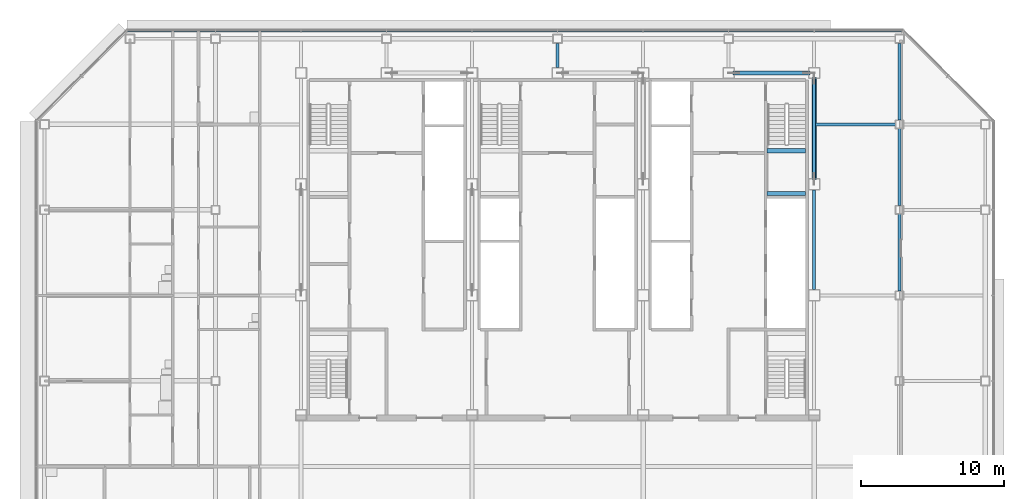
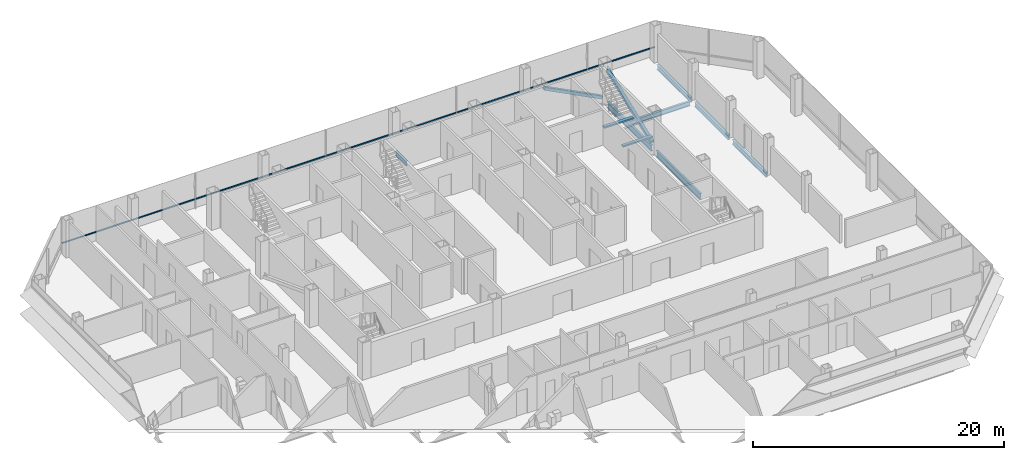
# One storey, part 14 of 27: 9 beams, 3 members, 1 element without a shape of its own.
"""IFC4 building model written with IfcOpenShell, lengths in metres."""

from ifc_helpers import new_model, si_unit, direction, frame, origin, origin_2d, place, context, subcontext, project, spatial, rectangle, hollow_rectangle, i_section, extrude, material, material_profile, profile_set, type_object, element, aggregate, save


model = new_model("IFC4")

# Units and contexts
model_context = context("Model", 3, precision=1e-05, world=origin(), true_north=direction((0.0, 1.0)))
body_context = subcontext(model_context, "Body", "Model", "MODEL_VIEW")
ifc_project = project(units=[si_unit("LENGTHUNIT", "METRE"), si_unit("AREAUNIT", "SQUARE_METRE"), si_unit("VOLUMEUNIT", "CUBIC_METRE"), si_unit("PLANEANGLEUNIT", "RADIAN"), si_unit("MASSUNIT", "GRAM", prefix="KILO")], contexts=[model_context])

# Site, building, storey
site_placement = place(None, origin())
site = spatial("IfcSite", under=ifc_project, at=site_placement, CompositionType="ELEMENT")
building_placement = place(site_placement, origin())
building = spatial("IfcBuilding", under=site, at=building_placement, Name="Sorahane Residences", CompositionType="ELEMENT")
storey_placement = place(building_placement, frame((0.0, 0.0, 202.800048828125)))
storey = spatial("IfcBuildingStorey", under=building, at=storey_placement, Name="L47", CompositionType="ELEMENT", Elevation=202.800048828125)

# Members
ifc_material_1 = material(Name="Steel Q355B", Category="steel")
ifc_material_profile_1 = material_profile(ifc_material_1, hollow_rectangle(XDim=0.300048828125, YDim=0.300048828125, WallThickness=0.01611328125, InnerFilletRadius=0.008056640625, OuterFilletRadius=0.02392578125, at=origin_2d()), Name="RHS 300x300x16")
ifc_profile_set_1 = profile_set([ifc_material_profile_1], Name="Steel Q355B")
member_type_1 = type_object("IfcMemberType", Name="Core brace RHS 300x300x16 Q355B", PredefinedType="BRACE", material=ifc_profile_set_1)
member_1_placement = place(storey_placement, frame((41.64111328125, 45.60009765625, 0.12890625), z_axis=(-0.889590046837, 0.0, 0.45675983686), x_axis=(0.0, -1.0, 0.0)))
element("IfcMember", 1, at=member_1_placement, inside=storey, type_object=member_type_1, Name="Core brace L47 y45.6-6", PredefinedType="BRACE", context=body_context, shape_type="SweptSolid", body=[
    extrude(hollow_rectangle(XDim=0.300048828125, YDim=0.300048828125, WallThickness=0.01611328125, InnerFilletRadius=0.008056640625, OuterFilletRadius=0.02392578125, at=origin_2d()), origin(), (0.0, 0.0, 1.0), 5.937744140625),
])
member_2_placement = place(storey_placement, frame((42.0, 38.16796875, 0.1376953125), z_axis=(0.0, 0.934335722983, 0.356394103147), x_axis=(-1.0, 0.0, 0.0)))
element("IfcMember", 2, at=member_2_placement, inside=storey, type_object=member_type_1, Name="Core brace L47 x42-3", PredefinedType="BRACE", context=body_context, shape_type="SweptSolid", body=[
    extrude(hollow_rectangle(XDim=0.300048828125, YDim=0.300048828125, WallThickness=0.01611328125, InnerFilletRadius=0.008056640625, OuterFilletRadius=0.02392578125, at=origin_2d()), origin(), (0.0, 0.0, 1.0), 7.560791015625),
])

# Curtain wall, member
ifc_material_2 = material(Name="Dark low-e glass and black anodised aluminium", Category="aluminium")
curtain_wall_type = type_object("IfcCurtainWallType", Name="Curtain wall CW-1 Typical unitised wall", PredefinedType="NOTDEFINED", material=ifc_material_2)
curtain_wall_placement = place(storey_placement, origin())
curtain_wall = element("IfcCurtainWall", 3, at=curtain_wall_placement, inside=storey, type_object=curtain_wall_type, Name="CW-1 curtain wall L47 N1", PredefinedType="NOTDEFINED")
ifc_material_3 = material(Name="Black anodised aluminium", Category="aluminium")
ifc_material_profile_2 = material_profile(ifc_material_3, rectangle(XDim=0.10009765625, YDim=0.06005859375, at=origin_2d()), Name="Curtain wall transom CW-1 black anodised aluminium 60x100")
ifc_profile_set_2 = profile_set([ifc_material_profile_2], Name="Black anodised aluminium")
member_type_2 = type_object("IfcMemberType", Name="Curtain wall transom CW-1 black anodised aluminium 60x100", PredefinedType="USERDEFINED", material=ifc_profile_set_2)
member_3_placement = place(storey_placement, frame((48.198486328125, 48.530029296875, 0.89990234375), z_axis=(-1.0, 0.0, 0.0), x_axis=(0.0, -1.0, 0.0)))
member_3 = element("IfcMember", 4, at=member_3_placement, type_object=member_type_2, Name="CW-1 transom L47 N1", ObjectType="TRANSOM", PredefinedType="USERDEFINED", context=body_context, shape_type="SweptSolid", body=[
    extrude(rectangle(XDim=0.10009765625, YDim=0.06005859375, at=origin_2d()), origin(), (0.0, 0.0, 1.0), 54.39697265625),
])
aggregate(curtain_wall, [member_3])

# Beams
ifc_material_4 = material(Name="Concrete C40", Category="concrete")
ifc_material_profile_3 = material_profile(ifc_material_4, rectangle(XDim=0.300048828125, YDim=0.139892578125, at=origin_2d()), Name="300x140")
ifc_profile_set_3 = profile_set([ifc_material_profile_3], Name="Concrete C40")
beam_type_1 = type_object("IfcBeamType", Name="RC landing beam 300 x 140 Concrete C40", PredefinedType="BEAM", material=ifc_profile_set_3)
for number, where, z_axis, x_axis, name in (
    (5, (38.699951171875, 37.14990234375, 1.530029296875), (1.0, 0.0, 0.0), (0.0, 1.0, 0.0), "Landing beam"),
    (6, (38.699951171875, 40.14990234375, 1.530029296875), (1.0, 0.0, 0.0), (0.0, 1.0, 0.0), "Landing beam"),
):
    element("IfcBeam", number, at=place(storey_placement, frame(where, z_axis=z_axis, x_axis=x_axis)), inside=storey, type_object=beam_type_1, Name=name, PredefinedType="BEAM", context=body_context, shape_type="SweptSolid", body=[
        extrude(rectangle(XDim=0.300048828125, YDim=0.139892578125, at=origin_2d()), origin(), (0.0, 0.0, 1.0), 2.699951171875),
    ])
ifc_material_5 = material(Name="Steel Q355B", Category="steel")
ifc_material_profile_4 = material_profile(ifc_material_5, i_section(OverallWidth=0.199951171875, OverallDepth=0.449951171875, WebThickness=0.009033203125, FlangeThickness=0.013916015625, FilletRadius=0.02001953125, at=origin_2d()), Name="HN 450x200x9x14")
ifc_profile_set_4 = profile_set([ifc_material_profile_4], Name="Steel Q355B")
beam_type_2 = type_object("IfcBeamType", Name="Steel floor beam HN 450x200x9x14 Q355B", PredefinedType="BEAM", material=ifc_profile_set_4)
beam_1_placement = place(storey_placement, frame((24.0, 46.0, -0.405029296875), z_axis=(0.0, 1.0, 0.0), x_axis=(-1.0, 0.0, 0.0)))
element("IfcBeam", 7, at=beam_1_placement, inside=storey, type_object=beam_type_2, Name="Beam L47 043", PredefinedType="BEAM", context=body_context, shape_type="SweptSolid", body=[
    extrude(i_section(OverallWidth=0.199951171875, OverallDepth=0.449951171875, WebThickness=0.009033203125, FlangeThickness=0.013916015625, FilletRadius=0.02001953125, at=origin_2d()), origin(), (0.0, 0.0, 1.0), 1.675048828125),
])
for number, where, z_axis, x_axis, name in (
    (8, (48.0, 30.300048828125, -0.405029296875), (0.0, 1.0, 0.0), (-1.0, 0.0, 0.0), "Beam L47 061"),
    (9, (48.0, 36.300048828125, -0.405029296875), (0.0, 1.0, 0.0), (-1.0, 0.0, 0.0), "Beam L47 062"),
):
    element("IfcBeam", number, at=place(storey_placement, frame(where, z_axis=z_axis, x_axis=x_axis)), inside=storey, type_object=beam_type_2, Name=name, PredefinedType="BEAM", context=body_context, shape_type="SweptSolid", body=[
        extrude(i_section(OverallWidth=0.199951171875, OverallDepth=0.449951171875, WebThickness=0.009033203125, FlangeThickness=0.013916015625, FilletRadius=0.02001953125, at=origin_2d()), origin(), (0.0, 0.0, 1.0), 5.39990234375),
    ])
beam_2_placement = place(storey_placement, frame((48.0, 42.300048828125, -0.405029296875), z_axis=(0.0, 1.0, 0.0), x_axis=(-1.0, 0.0, 0.0)))
element("IfcBeam", 10, at=beam_2_placement, inside=storey, type_object=beam_type_2, Name="Beam L47 063", PredefinedType="BEAM", context=body_context, shape_type="SweptSolid", body=[
    extrude(i_section(OverallWidth=0.199951171875, OverallDepth=0.449951171875, WebThickness=0.009033203125, FlangeThickness=0.013916015625, FilletRadius=0.02001953125, at=origin_2d()), origin(), (0.0, 0.0, 1.0), 5.375),
])
beam_3_placement = place(storey_placement, frame((42.10009765625, 42.0, -0.405029296875), z_axis=(1.0, 0.0, 0.0), x_axis=(0.0, 1.0, 0.0)))
element("IfcBeam", 11, at=beam_3_placement, inside=storey, type_object=beam_type_2, Name="Beam L47 091", PredefinedType="BEAM", context=body_context, shape_type="SweptSolid", body=[
    extrude(i_section(OverallWidth=0.199951171875, OverallDepth=0.449951171875, WebThickness=0.009033203125, FlangeThickness=0.013916015625, FilletRadius=0.02001953125, at=origin_2d()), origin(), (0.0, 0.0, 1.0), 5.599853515625),
])
ifc_material_6 = material(Name="Steel Q355B", Category="steel")
ifc_material_profile_5 = material_profile(ifc_material_6, i_section(OverallWidth=0.199951171875, OverallDepth=0.60009765625, WebThickness=0.010986328125, FlangeThickness=0.01708984375, FilletRadius=0.02392578125, at=origin_2d()), Name="HN 600x200x11x17")
ifc_profile_set_5 = profile_set([ifc_material_profile_5], Name="Steel Q355B")
beam_type_3 = type_object("IfcBeamType", Name="Steel floor beam HN 600x200x11x17 Q355B", PredefinedType="BEAM", material=ifc_profile_set_5)
for number, where, z_axis, x_axis, name in (
    (12, (42.0, 30.39990234375, -0.47998046875), (0.0, 1.0, 0.0), (-1.0, 0.0, 0.0), "Beam L47 055"),
    (13, (42.0, 38.199951171875, -0.47998046875), (0.0, 1.0, 0.0), (-1.0, 0.0, 0.0), "Beam L47 056"),
):
    element("IfcBeam", number, at=place(storey_placement, frame(where, z_axis=z_axis, x_axis=x_axis)), inside=storey, type_object=beam_type_3, Name=name, PredefinedType="BEAM", context=body_context, shape_type="SweptSolid", body=[
        extrude(i_section(OverallWidth=0.199951171875, OverallDepth=0.60009765625, WebThickness=0.010986328125, FlangeThickness=0.01708984375, FilletRadius=0.02392578125, at=origin_2d()), origin(), (0.0, 0.0, 1.0), 7.0),
    ])

save(model, "model.ifc")
